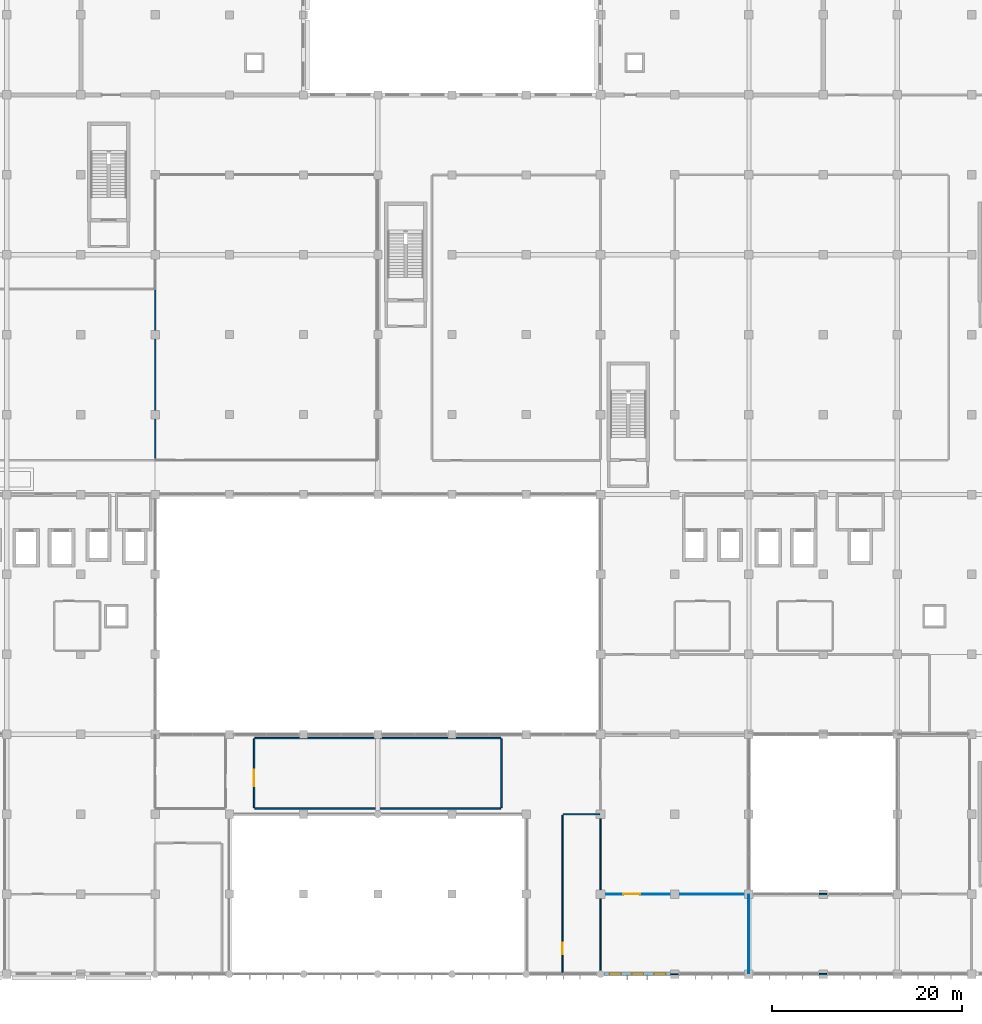
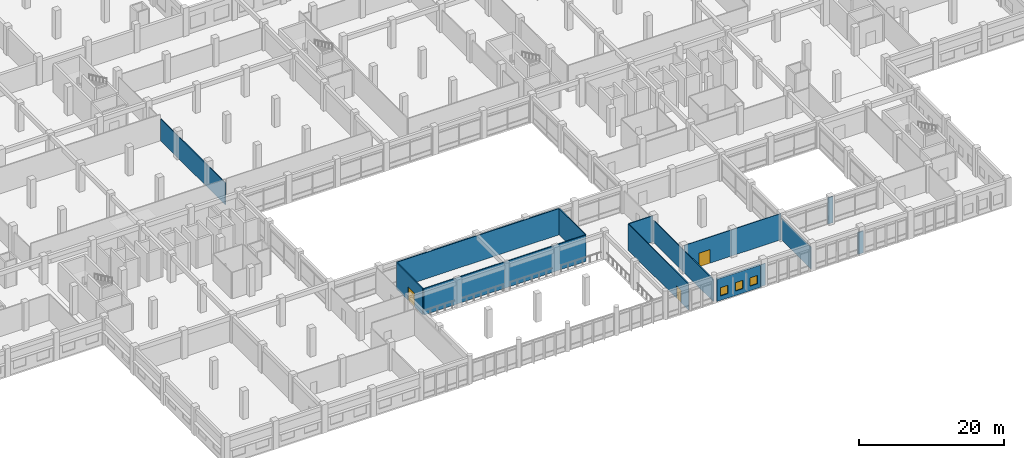
# One storey, part 56 of 79: 14 walls, 3 doors, 3 windows, 6 openings.
"""IFC4 building model written with IfcOpenShell, lengths in metres."""

from ifc_helpers import new_model, si_unit, direction, frame, frame_2d, origin, place, context, subcontext, project, spatial, rectangle, extrude, material, layer, layer_set, type_object, element, fill, save


model = new_model("IFC4")

# Units and contexts
model_context = context("Model", 3, precision=1e-05, world=origin(), true_north=direction((0.0, 1.0)))
body_context = subcontext(model_context, "Body", "Model", "MODEL_VIEW")
ifc_project = project(units=[si_unit("LENGTHUNIT", "METRE"), si_unit("AREAUNIT", "SQUARE_METRE"), si_unit("VOLUMEUNIT", "CUBIC_METRE"), si_unit("PLANEANGLEUNIT", "RADIAN"), si_unit("MASSUNIT", "GRAM", prefix="KILO"), si_unit("THERMODYNAMICTEMPERATUREUNIT", "KELVIN"), si_unit("POWERUNIT", "WATT")], contexts=[model_context])

# Site, building, storey
site_placement = place(None, origin())
site = spatial("IfcSite", under=ifc_project, at=site_placement, CompositionType="ELEMENT")
building_placement = place(site_placement, origin())
building = spatial("IfcBuilding", under=site, at=building_placement, Name="Srebrne Nadtorze General Hospital", CompositionType="ELEMENT")
storey_placement = place(building_placement, frame((0.0, 0.0, 4.800048828125)))
storey = spatial("IfcBuildingStorey", under=building, at=storey_placement, Name="L01", CompositionType="ELEMENT", Elevation=4.800048828125)

# Wall, opening, door
ifc_material_1 = material(Name="Gypsum Healthcare Partition")
ifc_layer_1 = layer(ifc_material_1, 0.139892578125)
ifc_layer_set_1 = layer_set([ifc_layer_1], Name="Gypsum Healthcare Partition")
wall_type_1 = type_object("IfcWallType", Name="Clinical partition 140", PredefinedType="PARTITIONING", material=ifc_layer_set_1)
wall_1_placement = place(storey_placement, frame((97.39990234375, 0.0849609375, 0.0), z_axis=(0.0, 0.0, 1.0), x_axis=(0.0, 1.0, 0.0)))
wall_1 = element("IfcWall", 1, at=wall_1_placement, inside=storey, type_object=wall_type_1, Name="Patient Health Library wall WL-INT-L01-1396", PredefinedType="PARTITIONING", context=body_context, shape_type="SweptSolid", body=[
    extrude(rectangle(XDim=16.630126953125, YDim=0.139892578125, at=frame_2d((8.31494140625, 0.0))), origin(), (0.0, 0.0, 1.0), 4.429931640625),
])
opening_1_placement = place(wall_1_placement, frame((1.983642578125, 0.0, 0.0)))
opening_1 = element("IfcOpeningElement", 2, at=opening_1_placement, cuts=wall_1, Name="Opening D-L01-0215", PredefinedType="OPENING", context=body_context, shape_type="SweptSolid", body=[
    extrude(rectangle(XDim=1.219970703125, YDim=2.14990234375, at=frame_2d((0.60986328125, 1.074951171875))), frame((0.0, 0.08203125, 0.0), z_axis=(0.0, -1.0, 0.0), x_axis=(1.0, 0.0, 0.0)), (0.0, 0.0, 1.0), 0.163818359375),
])
ifc_material_2 = material(Name="Anodised Aluminium", Category="aluminium")
door_type_1 = type_object("IfcDoorType", Name="Single leaf door 1220x2150", OperationType="NOTDEFINED", PredefinedType="DOOR", material=ifc_material_2)
door_1_placement = place(opening_1_placement, frame((1.219970703125, 0.0, 0.0), z_axis=(0.0, 0.0, 1.0), x_axis=(-1.0, 0.0, 0.0)))
door_1 = element("IfcDoor", 3, at=door_1_placement, inside=storey, type_object=door_type_1, Name="Patient Health Library door D-L01-0215", OperationType="SINGLE_SWING_RIGHT", OverallHeight=2.14990234375, OverallWidth=1.219970703125, PredefinedType="DOOR", context=body_context, shape_type="SweptSolid", body=[
    extrude(rectangle(XDim=1.219970703125, YDim=2.14990234375, at=frame_2d((0.60986328125, 1.074951171875))), frame((0.0, 0.02490234375, 0.0), z_axis=(0.0, -1.0, 0.0), x_axis=(1.0, 0.0, 0.0)), (0.0, 0.0, 1.0), 0.050048828125),
])
fill(opening_1, door_1)

# Walls
wall_2_placement = place(storey_placement, frame((97.485107421875, 16.800048828125, 0.0), z_axis=(0.0, 0.0, 1.0), x_axis=(1.0, 0.0, 0.0)))
element("IfcWall", 4, at=wall_2_placement, inside=storey, type_object=wall_type_1, Name="Patient Health Library wall WL-INT-L01-1397", PredefinedType="PARTITIONING", context=body_context, shape_type="SweptSolid", body=[
    extrude(rectangle(XDim=3.829833984375, YDim=0.139892578125, at=frame_2d((1.9150390625, 0.0))), origin(), (0.0, 0.0, 1.0), 4.429931640625),
])
wall_3_placement = place(storey_placement, frame((101.39990234375, 0.0849609375, 0.0), z_axis=(0.0, 0.0, 1.0), x_axis=(0.0, 1.0, 0.0)))
element("IfcWall", 5, at=wall_3_placement, inside=storey, type_object=wall_type_1, Name="Patient Health Library wall WL-INT-L01-1398", PredefinedType="PARTITIONING", context=body_context, shape_type="SweptSolid", body=[
    extrude(rectangle(XDim=16.630126953125, YDim=0.139892578125, at=frame_2d((8.31494140625, 0.0))), origin(), (0.0, 0.0, 1.0), 3.699951171875),
])
wall_4_placement = place(storey_placement, frame((54.60009765625, 54.0849609375, 0.0), z_axis=(0.0, 0.0, 1.0), x_axis=(0.0, 1.0, 0.0)))
element("IfcWall", 6, at=wall_4_placement, inside=storey, type_object=wall_type_1, Name="Interventional Radiology Suite wall WL-INT-L01-1438", PredefinedType="PARTITIONING", context=body_context, shape_type="SweptSolid", body=[
    extrude(rectangle(XDim=17.830078125, YDim=0.139892578125, at=frame_2d((8.9150390625, 0.0))), origin(), (0.0, 0.0, 1.0), 3.699951171875),
])

# Wall, opening, door
ifc_material_3 = material(Name="Gypsum Healthcare Partition")
ifc_layer_2 = layer(ifc_material_3, 0.159912109375)
ifc_layer_set_2 = layer_set([ifc_layer_2], Name="Gypsum Healthcare Partition")
wall_type_2 = type_object("IfcWallType", Name="Clinical partition 160", PredefinedType="PARTITIONING", material=ifc_layer_set_2)
wall_5_placement = place(storey_placement, frame((65.0, 17.485107421875, 0.0), z_axis=(0.0, 0.0, 1.0), x_axis=(0.0, 1.0, 0.0)))
wall_5 = element("IfcWall", 7, at=wall_5_placement, inside=storey, type_object=wall_type_2, Name="Social Work Consultation Room wall WL-INT-L01-1402", PredefinedType="PARTITIONING", context=body_context, shape_type="SweptSolid", body=[
    extrude(rectangle(XDim=7.22998046875, YDim=0.159912109375, at=frame_2d((3.614990234375, 0.0))), origin(), (0.0, 0.0, 1.0), 4.429931640625),
])
opening_2_placement = place(wall_5_placement, frame((2.241943359375, 0.0, 0.0)))
opening_2 = element("IfcOpeningElement", 8, at=opening_2_placement, cuts=wall_5, Name="Opening D-L01-0217", PredefinedType="OPENING", context=body_context, shape_type="SweptSolid", body=[
    extrude(rectangle(XDim=1.75, YDim=2.300048828125, at=frame_2d((0.875, 1.14990234375))), frame((0.0, 0.091796875, 0.0), z_axis=(0.0, -1.0, 0.0), x_axis=(1.0, 0.0, 0.0)), (0.0, 0.0, 1.0), 0.183837890625),
])
ifc_material_4 = material(Name="Anodised Aluminium", Category="aluminium")
door_type_2 = type_object("IfcDoorType", Name="Double leaf door 1750x2300", OperationType="DOUBLE_DOOR_SINGLE_SWING", PredefinedType="DOOR", material=ifc_material_4)
door_2_placement = place(opening_2_placement, frame((1.75, 0.0, 0.0), z_axis=(0.0, 0.0, 1.0), x_axis=(-1.0, 0.0, 0.0)))
door_2 = element("IfcDoor", 9, at=door_2_placement, inside=storey, type_object=door_type_2, Name="Social Work Consultation Room door D-L01-0217", OperationType="DOUBLE_DOOR_SINGLE_SWING", OverallHeight=2.300048828125, OverallWidth=1.75, PredefinedType="DOOR", context=body_context, shape_type="SweptSolid", body=[
    extrude(rectangle(XDim=1.75, YDim=2.300048828125, at=frame_2d((0.875, 1.14990234375))), frame((0.0, 0.02490234375, 0.0), z_axis=(0.0, -1.0, 0.0), x_axis=(1.0, 0.0, 0.0)), (0.0, 0.0, 1.0), 0.050048828125),
])
fill(opening_2, door_2)

# Walls
for number, where, z_axis, x_axis, name in (
    (10, (65.0849609375, 17.39990234375, 0.0), (0.0, 0.0, 1.0), (1.0, 0.0, 0.0), "Social Work Consultation Room wall WL-INT-L01-1403"),
    (11, (65.0849609375, 24.800048828125, 0.0), (0.0, 0.0, 1.0), (1.0, 0.0, 0.0), "Social Work Consultation Room wall WL-INT-L01-1404"),
):
    element("IfcWall", number, at=place(storey_placement, frame(where, z_axis=z_axis, x_axis=x_axis)), inside=storey, type_object=wall_type_2, Name=name, PredefinedType="PARTITIONING", context=body_context, shape_type="SweptSolid", body=[
        extrude(rectangle(XDim=25.830078125, YDim=0.159912109375, at=frame_2d((12.9150390625, 0.0))), origin(), (0.0, 0.0, 1.0), 4.429931640625),
    ])
wall_6_placement = place(storey_placement, frame((91.0, 17.485107421875, 0.0), z_axis=(0.0, 0.0, 1.0), x_axis=(0.0, 1.0, 0.0)))
element("IfcWall", 12, at=wall_6_placement, inside=storey, type_object=wall_type_2, Name="Social Work Consultation Room wall WL-INT-L01-1405", PredefinedType="PARTITIONING", context=body_context, shape_type="SweptSolid", body=[
    extrude(rectangle(XDim=7.22998046875, YDim=0.159912109375, at=frame_2d((3.614990234375, 0.0))), origin(), (0.0, 0.0, 1.0), 4.429931640625),
])
wall_7_placement = place(storey_placement, frame((124.389892578125, 8.39990234375, 0.0), z_axis=(0.0, 0.0, 1.0), x_axis=(1.0, 0.0, 0.0)))
element("IfcWall", 13, at=wall_7_placement, inside=storey, type_object=wall_type_2, Name="Outpatient Ophthalmology Clinic wall WL-INT-L01-1468", PredefinedType="PARTITIONING", context=body_context, shape_type="SweptSolid", body=[
    extrude(rectangle(XDim=0.820068359375, YDim=0.159912109375, at=frame_2d((0.41015625, 0.0))), origin(), (0.0, 0.0, 1.0), 4.429931640625),
])
wall_8_placement = place(storey_placement, frame((124.389892578125, 0.0, 0.0), z_axis=(0.0, 0.0, 1.0), x_axis=(1.0, 0.0, 0.0)))
element("IfcWall", 14, at=wall_8_placement, inside=storey, type_object=wall_type_2, Name="Outpatient Ophthalmology Clinic wall WL-INT-L01-1470", PredefinedType="PARTITIONING", context=body_context, shape_type="SweptSolid", body=[
    extrude(rectangle(XDim=0.820068359375, YDim=0.159912109375, at=frame_2d((0.41015625, 0.0))), origin(), (0.0, 0.0, 1.0), 3.699951171875),
])

# Wall, openings, windows
ifc_material_5 = material(Name="Concrete C40/50 precast", Category="concrete")
ifc_layer_3 = layer(ifc_material_5, 0.300048828125)
ifc_layer_set_3 = layer_set([ifc_layer_3], Name="Concrete C40/50 precast")
wall_type_3 = type_object("IfcWallType", Name="Limestone precast wall 300", PredefinedType="STANDARD", material=ifc_layer_set_3)
wall_9_placement = place(storey_placement, frame((101.77490234375, 0.0, 0.0), z_axis=(0.0, 0.0, 1.0), x_axis=(1.0, 0.0, 0.0)))
wall_9 = element("IfcWall", 15, at=wall_9_placement, inside=storey, type_object=wall_type_3, Name="Exterior wall WL-ENV-L01-0154", PredefinedType="STANDARD", context=body_context, shape_type="SweptSolid", body=[
    extrude(rectangle(XDim=6.97509765625, YDim=0.300048828125, at=frame_2d((3.487548828125, 0.0))), origin(), (0.0, 0.0, 1.0), 3.75),
])
opening_3_placement = place(wall_9_placement, frame((0.5849609375, 0.0, 0.75)))
opening_3 = element("IfcOpeningElement", 16, at=opening_3_placement, cuts=wall_9, Name="Opening WN-L01-0127", PredefinedType="OPENING", context=body_context, shape_type="SweptSolid", body=[
    extrude(rectangle(XDim=1.199951171875, YDim=1.39990234375, at=frame_2d((0.60009765625, 0.699951171875))), frame((0.0, 0.162109375, 0.0), z_axis=(0.0, -1.0, 0.0), x_axis=(1.0, 0.0, 0.0)), (0.0, 0.0, 1.0), 0.323974609375),
])
opening_4_placement = place(wall_9_placement, frame((2.925048828125, 0.0, 0.75)))
opening_4 = element("IfcOpeningElement", 17, at=opening_4_placement, cuts=wall_9, Name="Opening WN-L01-0128", PredefinedType="OPENING", context=body_context, shape_type="SweptSolid", body=[
    extrude(rectangle(XDim=1.199951171875, YDim=1.39990234375, at=frame_2d((0.60009765625, 0.699951171875))), frame((0.0, 0.162109375, 0.0), z_axis=(0.0, -1.0, 0.0), x_axis=(1.0, 0.0, 0.0)), (0.0, 0.0, 1.0), 0.323974609375),
])
opening_5_placement = place(wall_9_placement, frame((5.264892578125, 0.0, 0.75)))
opening_5 = element("IfcOpeningElement", 18, at=opening_5_placement, cuts=wall_9, Name="Opening WN-L01-0129", PredefinedType="OPENING", context=body_context, shape_type="SweptSolid", body=[
    extrude(rectangle(XDim=1.199951171875, YDim=1.39990234375, at=frame_2d((0.60009765625, 0.699951171875))), frame((0.0, 0.162109375, 0.0), z_axis=(0.0, -1.0, 0.0), x_axis=(1.0, 0.0, 0.0)), (0.0, 0.0, 1.0), 0.323974609375),
])
ifc_material_6 = material(Name="Triple Low-E Glazing", Category="glass")
window_type = type_object("IfcWindowType", Name="Punched clinical window 1200x1400", PartitioningType="SINGLE_PANEL", PredefinedType="WINDOW", material=ifc_material_6)
window_1_placement = place(opening_3_placement, origin())
window_1 = element("IfcWindow", 19, at=window_1_placement, inside=storey, type_object=window_type, Name="Clinical window WN-L01-0127", OverallHeight=1.39990234375, OverallWidth=1.199951171875, PartitioningType="SINGLE_PANEL", PredefinedType="WINDOW", context=body_context, shape_type="SweptSolid", body=[
    extrude(rectangle(XDim=1.199951171875, YDim=1.39990234375, at=frame_2d((0.60009765625, 0.699951171875))), frame((0.0, 0.030029296875, 0.0), z_axis=(0.0, -1.0, 0.0), x_axis=(1.0, 0.0, 0.0)), (0.0, 0.0, 1.0), 0.06005859375),
])
fill(opening_3, window_1)
window_2_placement = place(opening_4_placement, origin())
window_2 = element("IfcWindow", 20, at=window_2_placement, inside=storey, type_object=window_type, Name="Clinical window WN-L01-0128", OverallHeight=1.39990234375, OverallWidth=1.199951171875, PartitioningType="SINGLE_PANEL", PredefinedType="WINDOW", context=body_context, shape_type="SweptSolid", body=[
    extrude(rectangle(XDim=1.199951171875, YDim=1.39990234375, at=frame_2d((0.60009765625, 0.699951171875))), frame((0.0, 0.030029296875, 0.0), z_axis=(0.0, -1.0, 0.0), x_axis=(1.0, 0.0, 0.0)), (0.0, 0.0, 1.0), 0.06005859375),
])
fill(opening_4, window_2)
window_3_placement = place(opening_5_placement, origin())
window_3 = element("IfcWindow", 21, at=window_3_placement, inside=storey, type_object=window_type, Name="Clinical window WN-L01-0129", OverallHeight=1.39990234375, OverallWidth=1.199951171875, PartitioningType="SINGLE_PANEL", PredefinedType="WINDOW", context=body_context, shape_type="SweptSolid", body=[
    extrude(rectangle(XDim=1.199951171875, YDim=1.39990234375, at=frame_2d((0.60009765625, 0.699951171875))), frame((0.0, 0.030029296875, 0.0), z_axis=(0.0, -1.0, 0.0), x_axis=(1.0, 0.0, 0.0)), (0.0, 0.0, 1.0), 0.06005859375),
])
fill(opening_5, window_3)

# Wall, opening, door
ifc_material_7 = material(Name="Gypsum Healthcare Partition")
ifc_layer_4 = layer(ifc_material_7, 0.10009765625)
ifc_layer_set_4 = layer_set([ifc_layer_4], Name="Gypsum Healthcare Partition")
wall_type_4 = type_object("IfcWallType", Name="Shaft lining wall 100", PredefinedType="PARTITIONING", material=ifc_layer_set_4)
wall_10_placement = place(storey_placement, frame((101.485107421875, 8.39990234375, 0.0), z_axis=(0.0, 0.0, 1.0), x_axis=(1.0, 0.0, 0.0)))
wall_10 = element("IfcWall", 22, at=wall_10_placement, inside=storey, type_object=wall_type_4, Name="Outpatient Cardiology Clinic wall WL-INT-L01-1465", PredefinedType="PARTITIONING", context=body_context, shape_type="SweptSolid", body=[
    extrude(rectangle(XDim=15.429931640625, YDim=0.10009765625, at=frame_2d((7.71484375, 0.0))), origin(), (0.0, 0.0, 1.0), 4.429931640625),
])
opening_6_placement = place(wall_10_placement, frame((2.3310546875, 0.0, 0.0)))
opening_6 = element("IfcOpeningElement", 23, at=opening_6_placement, cuts=wall_10, Name="Opening D-L01-0231", PredefinedType="OPENING", context=body_context, shape_type="SweptSolid", body=[
    extrude(rectangle(XDim=1.75, YDim=2.300048828125, at=frame_2d((0.875, 1.14990234375))), frame((0.0, 0.06201171875, 0.0), z_axis=(0.0, -1.0, 0.0), x_axis=(1.0, 0.0, 0.0)), (0.0, 0.0, 1.0), 0.1240234375),
])
door_3_placement = place(opening_6_placement, frame((1.75, 0.0, 0.0), z_axis=(0.0, 0.0, 1.0), x_axis=(-1.0, 0.0, 0.0)))
door_3 = element("IfcDoor", 24, at=door_3_placement, inside=storey, type_object=door_type_2, Name="Outpatient Cardiology Clinic door D-L01-0231", OperationType="DOUBLE_DOOR_SINGLE_SWING", OverallHeight=2.300048828125, OverallWidth=1.75, PredefinedType="DOOR", context=body_context, shape_type="SweptSolid", body=[
    extrude(rectangle(XDim=1.75, YDim=2.300048828125, at=frame_2d((0.875, 1.14990234375))), frame((0.0, 0.02490234375, 0.0), z_axis=(0.0, -1.0, 0.0), x_axis=(1.0, 0.0, 0.0)), (0.0, 0.0, 1.0), 0.050048828125),
])
fill(opening_6, door_3)

# Walls
wall_11_placement = place(storey_placement, frame((108.7900390625, 0.0, 0.0), z_axis=(0.0, 0.0, 1.0), x_axis=(1.0, 0.0, 0.0)))
element("IfcWall", 25, at=wall_11_placement, inside=storey, type_object=wall_type_4, Name="Outpatient Cardiology Clinic wall WL-INT-L01-1466", PredefinedType="PARTITIONING", context=body_context, shape_type="SweptSolid", body=[
    extrude(rectangle(XDim=0.820068359375, YDim=0.10009765625, at=frame_2d((0.41015625, 0.0))), origin(), (0.0, 0.0, 1.0), 3.699951171875),
])
wall_12_placement = place(storey_placement, frame((117.0, 0.0849609375, 0.0), z_axis=(0.0, 0.0, 1.0), x_axis=(0.0, 1.0, 0.0)))
element("IfcWall", 26, at=wall_12_placement, inside=storey, type_object=wall_type_4, Name="Outpatient Cardiology Clinic wall WL-INT-L01-1467", PredefinedType="PARTITIONING", context=body_context, shape_type="SweptSolid", body=[
    extrude(rectangle(XDim=8.22998046875, YDim=0.10009765625, at=frame_2d((4.114990234375, 0.0))), origin(), (0.0, 0.0, 1.0), 3.699951171875),
])

save(model, "model.ifc")
